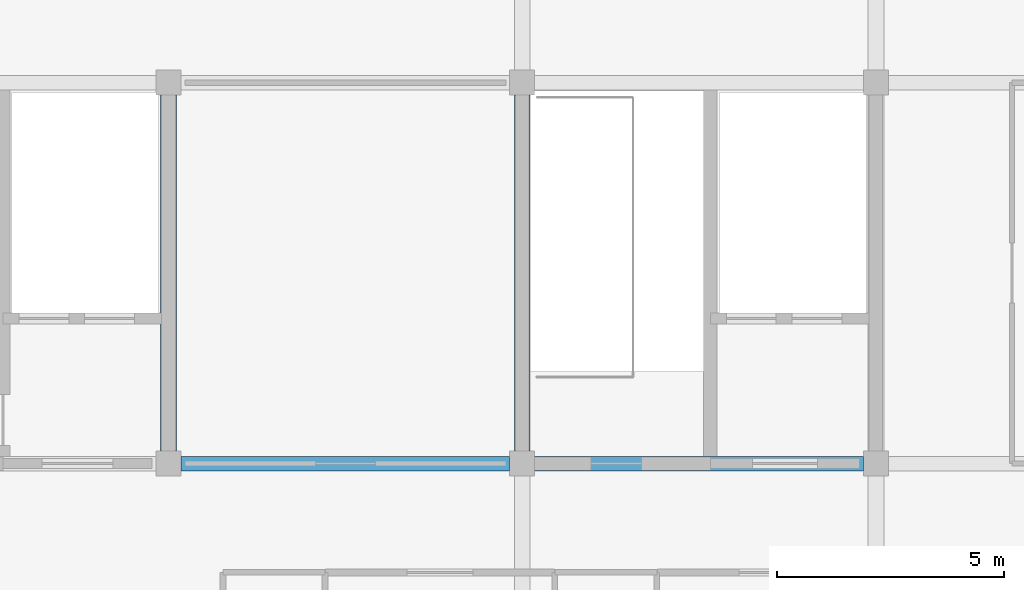
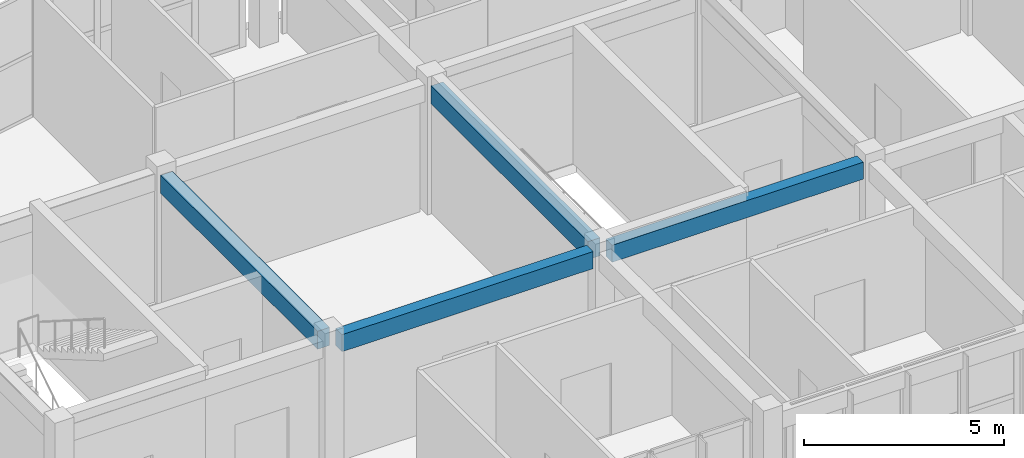
# One storey, part 6 of 33: 4 beams.
"""IFC4 building model written with IfcOpenShell, lengths in metres."""

from ifc_helpers import new_model, si_unit, direction, frame, origin, origin_2d, place, context, subcontext, project, spatial, rectangle, extrude, material, material_profile, profile_set, type_object, element, save


model = new_model("IFC4")

# Units and contexts
model_context = context("Model", 3, precision=1e-05, world=origin(), true_north=direction((0.0, 1.0)))
body_context = subcontext(model_context, "Body", "Model", "MODEL_VIEW")
ifc_project = project(units=[si_unit("LENGTHUNIT", "METRE"), si_unit("AREAUNIT", "SQUARE_METRE"), si_unit("VOLUMEUNIT", "CUBIC_METRE"), si_unit("PLANEANGLEUNIT", "RADIAN"), si_unit("MASSUNIT", "GRAM", prefix="KILO")], contexts=[model_context])

# Site, building, storey
site_placement = place(None, origin())
site = spatial("IfcSite", under=ifc_project, at=site_placement, CompositionType="ELEMENT")
building_placement = place(site_placement, origin())
building = spatial("IfcBuilding", under=site, at=building_placement, Name="Zizhar Promenade General Hospital", CompositionType="ELEMENT")
storey_placement = place(building_placement, frame((0.0, 0.0, 39.0)))
storey = spatial("IfcBuildingStorey", under=building, at=storey_placement, Name="L09", CompositionType="ELEMENT", Elevation=39.0)

# Beams
ifc_material_1 = material(Name="Concrete C35/45", Category="concrete")
ifc_material_profile_1 = material_profile(ifc_material_1, rectangle(XDim=0.320068359375, YDim=0.52001953125, at=origin_2d()))
ifc_profile_set_1 = profile_set([ifc_material_profile_1], Name="Concrete C35/45")
beam_type_1 = type_object("IfcBeamType", Name="BM-RC-320x520", PredefinedType="LINTEL", material=ifc_profile_set_1)
for number, where, z_axis, x_axis, name in (
    (1, (54.875, 8.39990234375, 3.64990234375), (1.0, 0.0, 0.0), (0.0, 1.0, 0.0), "Grid Beam X L09 (7-1)"),
    (2, (62.675048828125, 8.39990234375, 3.64990234375), (1.0, 0.0, 0.0), (0.0, 1.0, 0.0), "Grid Beam X L09 (8-1)"),
):
    element("IfcBeam", number, at=place(storey_placement, frame(where, z_axis=z_axis, x_axis=x_axis)), inside=storey, type_object=beam_type_1, Name=name, PredefinedType="LINTEL", context=body_context, shape_type="SweptSolid", body=[
        extrude(rectangle(XDim=0.320068359375, YDim=0.52001953125, at=origin_2d()), origin(), (0.0, 0.0, 1.0), 7.25),
    ])
ifc_material_2 = material(Name="Concrete C35/45", Category="concrete")
ifc_material_profile_2 = material_profile(ifc_material_2, rectangle(XDim=0.35009765625, YDim=0.550048828125, at=origin_2d()))
ifc_profile_set_2 = profile_set([ifc_material_profile_2], Name="Concrete C35/45")
beam_type_2 = type_object("IfcBeamType", Name="BM-RC-350x550", PredefinedType="LINTEL", material=ifc_profile_set_2)
for number, where, z_axis, x_axis, name in (
    (3, (54.60009765625, 8.675048828125, 3.635009765625), (0.0, 1.0, 0.0), (-1.0, 0.0, 0.0), "Grid Beam Y L09 (7-1)"),
    (4, (62.39990234375, 8.675048828125, 3.635009765625), (0.0, 1.0, 0.0), (-1.0, 0.0, 0.0), "Grid Beam Y L09 (8-1)"),
):
    element("IfcBeam", number, at=place(storey_placement, frame(where, z_axis=z_axis, x_axis=x_axis)), inside=storey, type_object=beam_type_2, Name=name, PredefinedType="LINTEL", context=body_context, shape_type="SweptSolid", body=[
        extrude(rectangle(XDim=0.35009765625, YDim=0.550048828125, at=origin_2d()), origin(), (0.0, 0.0, 1.0), 7.849853515625),
    ])

save(model, "model.ifc")
